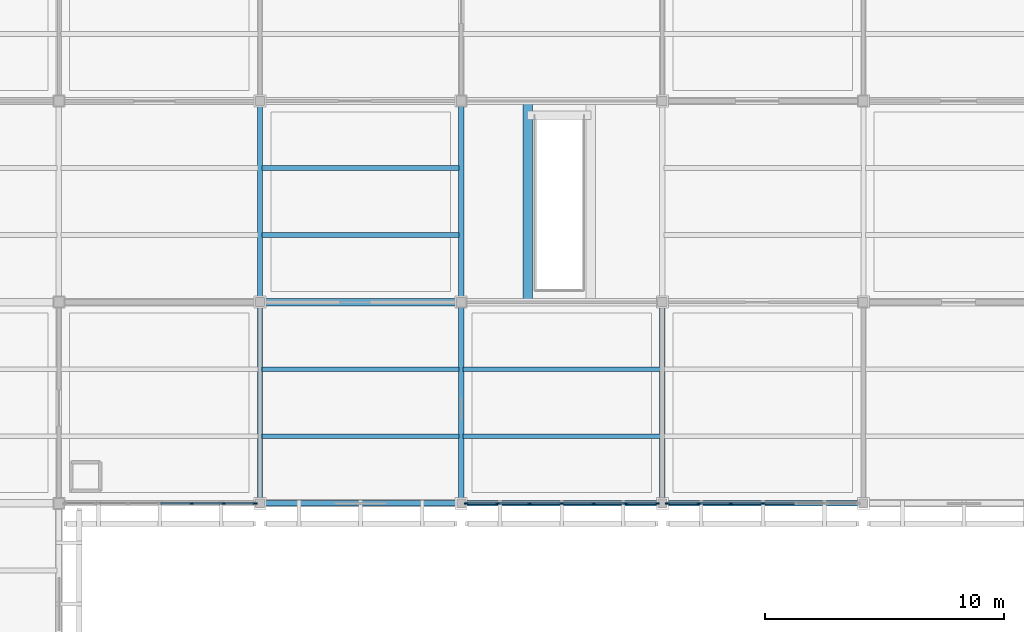
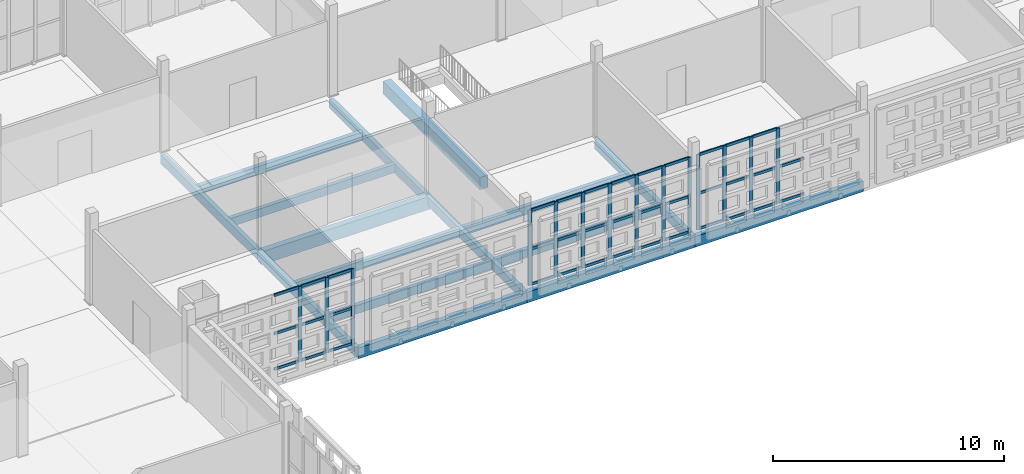
# One storey, part 30 of 203: 52 members, 16 beams, 3 elements without a shape of their own.
"""IFC4 building model written with IfcOpenShell, lengths in metres."""

import ifcopenshell
import ifcopenshell.guid

model = None  # the IFC model being written
_history = None  # IfcOwnerHistory: only IFC2X3 demands one
_inside = {}  # id of a spatial element -> (the spatial element, [elements in it])
_under = {}  # id of a project, library or spatial element -> (it, [spatial elements below it])
_declared = {}  # id of a project -> (the project, [libraries it declares])
_typed = {}  # id of a type object -> (the type object, [elements of that type])
_made_of = {}  # id of a material, layer set ... -> (it, [elements and type objects made of it])


def new_model(schema):
    """Start an empty IFC model of exactly this schema.

    Asked for "IFC4X3", IfcOpenShell would pick the latest addendum, in which some entities
    have other attributes; the version numbers below select the first issue.
    IFC2X3 requires an IfcOwnerHistory on every rooted entity: one is made here for all.
    """
    global model, _history
    if schema == "IFC4X3":
        model = ifcopenshell.file(schema_version=(4, 3, 0, 0))
    else:
        model = ifcopenshell.file(schema=schema)
    _inside.clear()
    _under.clear()
    _declared.clear()
    _typed.clear()
    _made_of.clear()
    _history = None
    if model.schema == "IFC2X3":
        org = make("IfcOrganization", Name="unknown")
        user = make(
            "IfcPersonAndOrganization",
            ThePerson=make("IfcPerson", FamilyName="unknown"),
            TheOrganization=org,
        )
        app = make(
            "IfcApplication",
            ApplicationDeveloper=org,
            Version="unknown",
            ApplicationFullName="unknown",
            ApplicationIdentifier="unknown",
        )
        _history = make(
            "IfcOwnerHistory",
            OwningUser=user,
            OwningApplication=app,
            ChangeAction="ADDED",
            CreationDate=0,
        )
    return model


def make(cls, **values):
    """One entity of the class cls with the attributes given. An attribute that is None is left unset."""
    return model.create_entity(
        cls, **{name: value for name, value in values.items() if value is not None}
    )


def rooted(cls, **values):
    """An entity with a GlobalId (a new one), such as an element, a storey or a relation."""
    return make(cls, GlobalId=ifcopenshell.guid.new(), OwnerHistory=_history, **values)


def si_unit(unit_type, name, prefix=None):
    """IfcSIUnit, for example si_unit("LENGTHUNIT", "METRE", prefix="MILLI")."""
    return make("IfcSIUnit", UnitType=unit_type, Prefix=prefix, Name=name)


def assignment(units):
    """IfcUnitAssignment: the units of a project."""
    return None if units is None else make("IfcUnitAssignment", Units=units)


def point(xyz):
    """IfcCartesianPoint."""
    return None if xyz is None else make("IfcCartesianPoint", Coordinates=xyz)


def direction(xyz):
    """IfcDirection."""
    return None if xyz is None else make("IfcDirection", DirectionRatios=xyz)


def frame(location, z_axis=None, x_axis=None):
    """IfcAxis2Placement3D, a coordinate frame: its origin and axes. An axis left out is left unset."""
    return make(
        "IfcAxis2Placement3D",
        Location=point(location),
        Axis=direction(z_axis),
        RefDirection=direction(x_axis),
    )


def frame_2d(location, x_axis=None):
    """IfcAxis2Placement2D, a coordinate frame in the plane: its origin and x axis."""
    return make(
        "IfcAxis2Placement2D", Location=point(location), RefDirection=direction(x_axis)
    )


def origin():
    """The frame at (0, 0, 0) with its axes left unset."""
    return frame((0.0, 0.0, 0.0))


def origin_2d():
    """The frame at (0, 0) in the plane with its x axis left unset."""
    return frame_2d((0.0, 0.0))


def place(relative_to, where):
    """IfcLocalPlacement: puts the frame where relative to a parent placement (None: the world)."""
    return make(
        "IfcLocalPlacement", PlacementRelTo=relative_to, RelativePlacement=where
    )


def context(
    kind, dimensions, precision=None, world=None, true_north=None, identifier=None
):
    """IfcGeometricRepresentationContext, for example the 3D "Model" context."""
    return make(
        "IfcGeometricRepresentationContext",
        ContextIdentifier=identifier,
        ContextType=kind,
        CoordinateSpaceDimension=dimensions,
        Precision=precision,
        WorldCoordinateSystem=world,
        TrueNorth=true_north,
    )


def subcontext(parent, identifier, kind, view, scale=None):
    """IfcGeometricRepresentationSubContext, for example "Body" below "Model"."""
    return make(
        "IfcGeometricRepresentationSubContext",
        ContextIdentifier=identifier,
        ContextType=kind,
        ParentContext=parent,
        TargetScale=scale,
        TargetView=view,
    )


def project(units=None, contexts=None):
    """IfcProject with its units and contexts."""
    return rooted(
        "IfcProject",
        Name="project",
        RepresentationContexts=contexts,
        UnitsInContext=assignment(units),
    )


def spatial(cls, under=None, at=None, **own):
    """A site, building, storey or space (cls), placed at a placement, below another one or the project."""
    s = rooted(cls, ObjectPlacement=at, **own)
    if under is not None:
        _under.setdefault(under.id(), (under, []))[1].append(s)
    return s


def profile(cls, at=None, kind="AREA", **sizes):
    """A parametric profile (cls). Its sizes go by their IFC names, for example OverallWidth=200.0."""
    return make(cls, ProfileType=kind, Position=at, **sizes)


def rectangle(**sizes):
    """IfcRectangleProfileDef."""
    return profile("IfcRectangleProfileDef", **sizes)


def extrude(swept, where, along, depth):
    """IfcExtrudedAreaSolid: the profile swept, set in the frame where, extruded along a direction by depth."""
    return make(
        "IfcExtrudedAreaSolid",
        SweptArea=swept,
        Position=where,
        ExtrudedDirection=direction(along),
        Depth=depth,
    )


def shape(context_of_items, identifier, shape_type, items):
    """IfcShapeRepresentation: the items that make up one representation, for example the "Body"."""
    return make(
        "IfcShapeRepresentation",
        ContextOfItems=context_of_items,
        RepresentationIdentifier=identifier,
        RepresentationType=shape_type,
        Items=items,
    )


def material(Name=None, Category=None):
    """IfcMaterial."""
    return make("IfcMaterial", Name=Name, Category=Category)


def layer(
    of_material, thickness, ventilated=None, Name=None, Category=None, Priority=None
):
    """IfcMaterialLayer: one layer of a wall or slab, of a material (None: an air gap)."""
    return make(
        "IfcMaterialLayer",
        Material=of_material,
        LayerThickness=thickness,
        IsVentilated=ventilated,
        Name=Name,
        Category=Category,
        Priority=Priority,
    )


def layer_set(layers, Name=None):
    """IfcMaterialLayerSet."""
    return make("IfcMaterialLayerSet", MaterialLayers=layers, LayerSetName=Name)


def material_profile(
    of_material, cross_section, Name=None, Category=None, Priority=None
):
    """IfcMaterialProfile: a cross section and its material."""
    return make(
        "IfcMaterialProfile",
        Name=Name,
        Material=of_material,
        Profile=cross_section,
        Priority=Priority,
        Category=Category,
    )


def profile_set(profiles, Name=None, composite=None):
    """IfcMaterialProfileSet."""
    return make(
        "IfcMaterialProfileSet",
        Name=Name,
        MaterialProfiles=profiles,
        CompositeProfile=composite,
    )


def made_of(thing, what):
    """Note that an element or type object is made of a material, layer set ...; save() writes the relation."""
    if what is not None:
        _made_of.setdefault(what.id(), (what, []))[1].append(thing)
    return thing


def type_object(cls, material=None, **own):
    """A type object (cls), such as IfcWallType, which elements share."""
    return made_of(rooted(cls, **own), material)


def element(
    cls,
    number,
    at=None,
    inside=None,
    cuts=None,
    type_object=None,
    material=None,
    context=None,
    identifier="Body",
    shape_type=None,
    held_by="IfcProductDefinitionShape",
    body=None,
    shapes=None,
    **own,
):
    """One element of the class cls, such as IfcWall. Its Tag is "e" and its number.

    at: its placement. inside: the storey or other place that contains it. cuts: it is an
    opening in that element (IfcRelVoidsElement). A single representation is given by context,
    identifier, shape_type and body (its items); several are given by shapes. held_by: the class
    of the entity that holds the representations. save() writes the other relations.
    """
    e = rooted(cls, Tag="e%d" % number, ObjectPlacement=at, **own)
    if body is not None:
        shapes = [shape(context, identifier, shape_type, body)]
    if shapes is not None:
        e.Representation = make(held_by, Representations=shapes)
    if inside is not None:
        _inside.setdefault(inside.id(), (inside, []))[1].append(e)
    if cuts is not None:
        rooted(
            "IfcRelVoidsElement", RelatingBuildingElement=cuts, RelatedOpeningElement=e
        )
    if type_object is not None:
        _typed.setdefault(type_object.id(), (type_object, []))[1].append(e)
    return made_of(e, material)


def aggregate(whole, parts):
    """IfcRelAggregates: a whole, such as a stair, and the parts it consists of."""
    return rooted("IfcRelAggregates", RelatingObject=whole, RelatedObjects=parts)


def save(model, path):
    """Write the relations noted so far, then the file.

    IfcRelAggregates (storeys below a building ...), IfcRelContainedInSpatialStructure (elements
    in a storey), IfcRelDefinesByType, IfcRelAssociatesMaterial and IfcRelDeclares: one each for
    every whole, place, type object, material and project.
    """
    for whole, parts in _under.values():
        aggregate(whole, parts)
    for where, things in _inside.values():
        rooted(
            "IfcRelContainedInSpatialStructure",
            RelatedElements=things,
            RelatingStructure=where,
        )
    for kind, things in _typed.values():
        rooted("IfcRelDefinesByType", RelatedObjects=things, RelatingType=kind)
    for what, things in _made_of.values():
        rooted("IfcRelAssociatesMaterial", RelatedObjects=things, RelatingMaterial=what)
    for by, libraries in _declared.values():
        rooted("IfcRelDeclares", RelatingContext=by, RelatedDefinitions=libraries)
    model.write(path)


model = new_model("IFC4")

# Units and contexts
model_context = context("Model", 3, precision=1e-05, world=origin(), true_north=direction((0.0, 1.0)))
body_context = subcontext(model_context, "Body", "Model", "MODEL_VIEW")
ifc_project = project(units=[si_unit("LENGTHUNIT", "METRE"), si_unit("AREAUNIT", "SQUARE_METRE"), si_unit("VOLUMEUNIT", "CUBIC_METRE"), si_unit("PLANEANGLEUNIT", "RADIAN"), si_unit("MASSUNIT", "GRAM", prefix="KILO")], contexts=[model_context])

# Site, building, storey
site_placement = place(None, origin())
site = spatial("IfcSite", under=ifc_project, at=site_placement, CompositionType="ELEMENT")
building_placement = place(site_placement, origin())
building = spatial("IfcBuilding", under=site, at=building_placement, Name="Varnapada Polytechnic", CompositionType="ELEMENT")
storey_placement = place(building_placement, frame((0.0, 0.0, 4.800048828125)))
storey = spatial("IfcBuildingStorey", under=building, at=storey_placement, Name="L01", CompositionType="ELEMENT", Elevation=4.800048828125)

# Beams
ifc_material_1 = material(Name="Glulam GL32h", Category="wood")
ifc_material_profile_1 = material_profile(ifc_material_1, rectangle(XDim=0.199951171875, YDim=0.43994140625, at=origin_2d()), Name="GL 200x440")
ifc_profile_set_1 = profile_set([ifc_material_profile_1], Name="Glulam GL32h")
beam_type_1 = type_object("IfcBeamType", Name="Heavy laboratory glulam joist GJ-03 (GL 200x440)", PredefinedType="JOIST", material=ifc_profile_set_1)
for number, where, z_axis, x_axis, name in (
    (1, (67.280029296875, 19.60009765625, -0.469970703125), (1.0, 0.0, 0.0), (0.0, 1.0, 0.0), "L01 floor joist 9/3.1"),
    (2, (67.280029296875, 22.39990234375, -0.469970703125), (1.0, 0.0, 0.0), (0.0, 1.0, 0.0), "L01 floor joist 9/3.2"),
    (3, (67.280029296875, 28.0, -0.469970703125), (1.0, 0.0, 0.0), (0.0, 1.0, 0.0), "L01 floor joist 9/4.1"),
    (4, (67.280029296875, 30.800048828125, -0.469970703125), (1.0, 0.0, 0.0), (0.0, 1.0, 0.0), "L01 floor joist 9/4.2"),
    (5, (75.679931640625, 19.60009765625, -0.469970703125), (1.0, 0.0, 0.0), (0.0, 1.0, 0.0), "L01 floor joist 10/3.1"),
    (6, (75.679931640625, 22.39990234375, -0.469970703125), (1.0, 0.0, 0.0), (0.0, 1.0, 0.0), "L01 floor joist 10/3.2"),
):
    element("IfcBeam", number, at=place(storey_placement, frame(where, z_axis=z_axis, x_axis=x_axis)), inside=storey, type_object=beam_type_1, Name=name, PredefinedType="JOIST", context=body_context, shape_type="SweptSolid", body=[
        extrude(rectangle(XDim=0.199951171875, YDim=0.43994140625, at=origin_2d()), origin(), (0.0, 0.0, 1.0), 8.239990234375),
    ])

# Curtain wall, members
ifc_material_2 = material(Name="Double low-E laminated glass", Category="glass")
ifc_layer = layer(ifc_material_2, 0.179931640625)
ifc_layer_set = layer_set([ifc_layer], Name="Double low-E laminated glass")
curtain_wall_type = type_object("IfcCurtainWallType", Name="Curtain Wall CW-04", PredefinedType="NOTDEFINED", material=ifc_layer_set)
curtain_wall_1_placement = place(storey_placement, origin())
curtain_wall_1 = element("IfcCurtainWall", 7, at=curtain_wall_1_placement, inside=storey, type_object=curtain_wall_type, Name="L01 unitised curtain wall CW-04 (55)", PredefinedType="NOTDEFINED")
ifc_material_3 = material(Name="Anodised aluminium", Category="aluminium")
ifc_material_profile_2 = material_profile(ifc_material_3, rectangle(XDim=0.06494140625, YDim=0.179931640625, at=origin_2d()), Name="ALU M65x180")
ifc_profile_set_2 = profile_set([ifc_material_profile_2], Name="Anodised aluminium")
member_type_1 = type_object("IfcMemberType", Name="Mullion M-02", PredefinedType="MULLION", material=ifc_profile_set_2)
member_1_placement = place(storey_placement, frame((66.987548828125, 16.800048828125, 0.0), z_axis=(0.0, 0.0, 1.0), x_axis=(0.0, -1.0, 0.0)))
member_1 = element("IfcMember", 8, at=member_1_placement, type_object=member_type_1, Name="CW-04 mullion 1", PredefinedType="MULLION", context=body_context, shape_type="SweptSolid", body=[
    extrude(rectangle(XDim=0.06494140625, YDim=0.179931640625, at=origin_2d()), origin(), (0.0, 0.0, 1.0), 3.9599609375),
])
member_2_placement = place(storey_placement, frame((65.68505859375, 16.800048828125, 0.0), z_axis=(0.0, 0.0, 1.0), x_axis=(0.0, -1.0, 0.0)))
member_2 = element("IfcMember", 9, at=member_2_placement, type_object=member_type_1, Name="CW-04 mullion 2", PredefinedType="MULLION", context=body_context, shape_type="SweptSolid", body=[
    extrude(rectangle(XDim=0.06494140625, YDim=0.179931640625, at=origin_2d()), origin(), (0.0, 0.0, 1.0), 3.9599609375),
])
member_3_placement = place(storey_placement, frame((64.35009765625, 16.800048828125, 0.0), z_axis=(0.0, 0.0, 1.0), x_axis=(0.0, -1.0, 0.0)))
member_3 = element("IfcMember", 10, at=member_3_placement, type_object=member_type_1, Name="CW-04 mullion 3", PredefinedType="MULLION", context=body_context, shape_type="SweptSolid", body=[
    extrude(rectangle(XDim=0.06494140625, YDim=0.179931640625, at=origin_2d()), origin(), (0.0, 0.0, 1.0), 3.9599609375),
])

curtain_wall_2_placement = place(storey_placement, origin())
curtain_wall_2 = element("IfcCurtainWall", 11, at=curtain_wall_2_placement, inside=storey, type_object=curtain_wall_type, Name="L01 unitised curtain wall CW-04 (64)", PredefinedType="NOTDEFINED")
member_4_placement = place(storey_placement, frame((83.78759765625, 16.800048828125, 0.0), z_axis=(0.0, 0.0, 1.0), x_axis=(0.0, -1.0, 0.0)))
member_4 = element("IfcMember", 12, at=member_4_placement, type_object=member_type_1, Name="CW-04 mullion 1", PredefinedType="MULLION", context=body_context, shape_type="SweptSolid", body=[
    extrude(rectangle(XDim=0.06494140625, YDim=0.179931640625, at=origin_2d()), origin(), (0.0, 0.0, 1.0), 3.9599609375),
])
member_5_placement = place(storey_placement, frame((82.47998046875, 16.800048828125, 0.0), z_axis=(0.0, 0.0, 1.0), x_axis=(0.0, -1.0, 0.0)))
member_5 = element("IfcMember", 13, at=member_5_placement, type_object=member_type_1, Name="CW-04 mullion 2", PredefinedType="MULLION", context=body_context, shape_type="SweptSolid", body=[
    extrude(rectangle(XDim=0.06494140625, YDim=0.179931640625, at=origin_2d()), origin(), (0.0, 0.0, 1.0), 3.9599609375),
])
member_6_placement = place(storey_placement, frame((81.139892578125, 16.800048828125, 0.0), z_axis=(0.0, 0.0, 1.0), x_axis=(0.0, -1.0, 0.0)))
member_6 = element("IfcMember", 14, at=member_6_placement, type_object=member_type_1, Name="CW-04 mullion 3", PredefinedType="MULLION", context=body_context, shape_type="SweptSolid", body=[
    extrude(rectangle(XDim=0.06494140625, YDim=0.179931640625, at=origin_2d()), origin(), (0.0, 0.0, 1.0), 3.9599609375),
])
member_7_placement = place(storey_placement, frame((79.800048828125, 16.800048828125, 0.0), z_axis=(0.0, 0.0, 1.0), x_axis=(0.0, -1.0, 0.0)))
member_7 = element("IfcMember", 15, at=member_7_placement, type_object=member_type_1, Name="CW-04 mullion 4", PredefinedType="MULLION", context=body_context, shape_type="SweptSolid", body=[
    extrude(rectangle(XDim=0.06494140625, YDim=0.179931640625, at=origin_2d()), origin(), (0.0, 0.0, 1.0), 3.9599609375),
])
member_8_placement = place(storey_placement, frame((78.4599609375, 16.800048828125, 0.0), z_axis=(0.0, 0.0, 1.0), x_axis=(0.0, -1.0, 0.0)))
member_8 = element("IfcMember", 16, at=member_8_placement, type_object=member_type_1, Name="CW-04 mullion 5", PredefinedType="MULLION", context=body_context, shape_type="SweptSolid", body=[
    extrude(rectangle(XDim=0.06494140625, YDim=0.179931640625, at=origin_2d()), origin(), (0.0, 0.0, 1.0), 3.9599609375),
])
member_9_placement = place(storey_placement, frame((77.1201171875, 16.800048828125, 0.0), z_axis=(0.0, 0.0, 1.0), x_axis=(0.0, -1.0, 0.0)))
member_9 = element("IfcMember", 17, at=member_9_placement, type_object=member_type_1, Name="CW-04 mullion 6", PredefinedType="MULLION", context=body_context, shape_type="SweptSolid", body=[
    extrude(rectangle(XDim=0.06494140625, YDim=0.179931640625, at=origin_2d()), origin(), (0.0, 0.0, 1.0), 3.9599609375),
])
member_10_placement = place(storey_placement, frame((75.8125, 16.800048828125, 0.0), z_axis=(0.0, 0.0, 1.0), x_axis=(0.0, -1.0, 0.0)))
member_10 = element("IfcMember", 18, at=member_10_placement, type_object=member_type_1, Name="CW-04 mullion 7", PredefinedType="MULLION", context=body_context, shape_type="SweptSolid", body=[
    extrude(rectangle(XDim=0.06494140625, YDim=0.179931640625, at=origin_2d()), origin(), (0.0, 0.0, 1.0), 3.9599609375),
])

curtain_wall_3_placement = place(storey_placement, origin())
curtain_wall_3 = element("IfcCurtainWall", 19, at=curtain_wall_3_placement, inside=storey, type_object=curtain_wall_type, Name="L01 unitised curtain wall CW-04 (69)", PredefinedType="NOTDEFINED")
member_11_placement = place(storey_placement, frame((88.199951171875, 16.800048828125, 0.0), z_axis=(0.0, 0.0, 1.0), x_axis=(0.0, -1.0, 0.0)))
member_11 = element("IfcMember", 20, at=member_11_placement, type_object=member_type_1, Name="CW-04 mullion 4", PredefinedType="MULLION", context=body_context, shape_type="SweptSolid", body=[
    extrude(rectangle(XDim=0.06494140625, YDim=0.179931640625, at=origin_2d()), origin(), (0.0, 0.0, 1.0), 3.9599609375),
])
member_12_placement = place(storey_placement, frame((86.860107421875, 16.800048828125, 0.0), z_axis=(0.0, 0.0, 1.0), x_axis=(0.0, -1.0, 0.0)))
member_12 = element("IfcMember", 21, at=member_12_placement, type_object=member_type_1, Name="CW-04 mullion 5", PredefinedType="MULLION", context=body_context, shape_type="SweptSolid", body=[
    extrude(rectangle(XDim=0.06494140625, YDim=0.179931640625, at=origin_2d()), origin(), (0.0, 0.0, 1.0), 3.9599609375),
])
member_13_placement = place(storey_placement, frame((85.52001953125, 16.800048828125, 0.0), z_axis=(0.0, 0.0, 1.0), x_axis=(0.0, -1.0, 0.0)))
member_13 = element("IfcMember", 22, at=member_13_placement, type_object=member_type_1, Name="CW-04 mullion 6", PredefinedType="MULLION", context=body_context, shape_type="SweptSolid", body=[
    extrude(rectangle(XDim=0.06494140625, YDim=0.179931640625, at=origin_2d()), origin(), (0.0, 0.0, 1.0), 3.9599609375),
])
member_14_placement = place(storey_placement, frame((84.21240234375, 16.800048828125, 0.0), z_axis=(0.0, 0.0, 1.0), x_axis=(0.0, -1.0, 0.0)))
member_14 = element("IfcMember", 23, at=member_14_placement, type_object=member_type_1, Name="CW-04 mullion 7", PredefinedType="MULLION", context=body_context, shape_type="SweptSolid", body=[
    extrude(rectangle(XDim=0.06494140625, YDim=0.179931640625, at=origin_2d()), origin(), (0.0, 0.0, 1.0), 3.9599609375),
])

# Beams
ifc_material_profile_3 = material_profile(ifc_material_1, rectangle(XDim=0.239990234375, YDim=0.56005859375, at=origin_2d()), Name="GL 240x560")
ifc_profile_set_3 = profile_set([ifc_material_profile_3], Name="Glulam GL32h")
beam_type_2 = type_object("IfcBeamType", Name="Perimeter glulam spandrel beam SP-02 (GL 240x560)", PredefinedType="SPANDREL", material=ifc_profile_set_3)
beam_1_placement = place(storey_placement, frame((67.199951171875, 16.800048828125, -0.530029296875), z_axis=(1.0, 0.0, 0.0), x_axis=(0.0, 1.0, 0.0)))
element("IfcBeam", 24, at=beam_1_placement, inside=storey, type_object=beam_type_2, Name="L01 beam X 9-10 at Y3", PredefinedType="SPANDREL", context=body_context, shape_type="SweptSolid", body=[
    extrude(rectangle(XDim=0.239990234375, YDim=0.56005859375, at=origin_2d()), origin(), (0.0, 0.0, 1.0), 8.400146484375),
])
for number, where, z_axis, x_axis, name in (
    (25, (75.60009765625, 16.800048828125, -0.530029296875), (1.0, 0.0, 0.0), (0.0, 1.0, 0.0), "L01 beam X 10-11 at Y3"),
    (26, (84.0, 16.800048828125, -0.530029296875), (1.0, 0.0, 0.0), (0.0, 1.0, 0.0), "L01 beam X 11-12 at Y3"),
):
    element("IfcBeam", number, at=place(storey_placement, frame(where, z_axis=z_axis, x_axis=x_axis)), inside=storey, type_object=beam_type_2, Name=name, PredefinedType="SPANDREL", context=body_context, shape_type="SweptSolid", body=[
        extrude(rectangle(XDim=0.239990234375, YDim=0.56005859375, at=origin_2d()), origin(), (0.0, 0.0, 1.0), 8.39990234375),
    ])
ifc_material_4 = material(Name="Concrete C40/50", Category="concrete")
ifc_material_profile_4 = material_profile(ifc_material_4, rectangle(XDim=0.39990234375, YDim=0.64990234375, at=origin_2d()), Name="RC 400x650")
ifc_profile_set_4 = profile_set([ifc_material_profile_4], Name="Concrete C40/50")
beam_type_3 = type_object("IfcBeamType", Name="Podium framing beam BB-02 (RC 400x650)", PredefinedType="BEAM", material=ifc_profile_set_4)
beam_2_placement = place(storey_placement, frame((78.3798828125, 25.199951171875, -0.5849609375), z_axis=(0.0, 1.0, 0.0), x_axis=(-1.0, 0.0, 0.0)))
element("IfcBeam", 27, at=beam_2_placement, inside=storey, type_object=beam_type_3, Name="L01 feature stair ST-F5 trimmer girder L", PredefinedType="BEAM", context=body_context, shape_type="SweptSolid", body=[
    extrude(rectangle(XDim=0.39990234375, YDim=0.64990234375, at=origin_2d()), origin(), (0.0, 0.0, 1.0), 8.400146484375),
])

# Member
ifc_material_profile_5 = material_profile(ifc_material_3, rectangle(XDim=0.06494140625, YDim=0.139892578125, at=origin_2d()), Name="ALU T65x140")
ifc_profile_set_5 = profile_set([ifc_material_profile_5], Name="Anodised aluminium")
member_type_2 = type_object("IfcMemberType", Name="Transom T-02", PredefinedType="USERDEFINED", material=ifc_profile_set_5)
member_15_placement = place(storey_placement, frame((66.955078125, 16.800048828125, 0.032470703125), z_axis=(-1.0, 0.0, 0.0), x_axis=(0.0, -1.0, 0.0)))
member_15 = element("IfcMember", 28, at=member_15_placement, type_object=member_type_2, Name="CW-04 transom 1.1", ObjectType="TRANSOM", PredefinedType="USERDEFINED", context=body_context, shape_type="SweptSolid", body=[
    extrude(rectangle(XDim=0.06494140625, YDim=0.139892578125, at=origin_2d()), origin(), (0.0, 0.0, 1.0), 1.237548828125),
])

member_16_placement = place(storey_placement, frame((66.955078125, 16.800048828125, 1.900634765625), z_axis=(-1.0, 0.0, 0.0), x_axis=(0.0, -1.0, 0.0)))
member_16 = element("IfcMember", 29, at=member_16_placement, type_object=member_type_2, Name="CW-04 transom 1.2", ObjectType="TRANSOM", PredefinedType="USERDEFINED", context=body_context, shape_type="SweptSolid", body=[
    extrude(rectangle(XDim=0.06494140625, YDim=0.139892578125, at=origin_2d()), origin(), (0.0, 0.0, 1.0), 1.237548828125),
])

member_17_placement = place(storey_placement, frame((66.955078125, 16.800048828125, 3.927490234375), z_axis=(-1.0, 0.0, 0.0), x_axis=(0.0, -1.0, 0.0)))
member_17 = element("IfcMember", 30, at=member_17_placement, type_object=member_type_2, Name="CW-04 transom 1.3", ObjectType="TRANSOM", PredefinedType="USERDEFINED", context=body_context, shape_type="SweptSolid", body=[
    extrude(rectangle(XDim=0.06494140625, YDim=0.139892578125, at=origin_2d()), origin(), (0.0, 0.0, 1.0), 1.237548828125),
])

member_18_placement = place(storey_placement, frame((65.652587890625, 16.800048828125, 0.032470703125), z_axis=(-1.0, 0.0, 0.0), x_axis=(0.0, -1.0, 0.0)))
member_18 = element("IfcMember", 31, at=member_18_placement, type_object=member_type_2, Name="CW-04 transom 2.1", ObjectType="TRANSOM", PredefinedType="USERDEFINED", context=body_context, shape_type="SweptSolid", body=[
    extrude(rectangle(XDim=0.06494140625, YDim=0.139892578125, at=origin_2d()), origin(), (0.0, 0.0, 1.0), 1.27001953125),
])

member_19_placement = place(storey_placement, frame((65.652587890625, 16.800048828125, 1.900634765625), z_axis=(-1.0, 0.0, 0.0), x_axis=(0.0, -1.0, 0.0)))
member_19 = element("IfcMember", 32, at=member_19_placement, type_object=member_type_2, Name="CW-04 transom 2.2", ObjectType="TRANSOM", PredefinedType="USERDEFINED", context=body_context, shape_type="SweptSolid", body=[
    extrude(rectangle(XDim=0.06494140625, YDim=0.139892578125, at=origin_2d()), origin(), (0.0, 0.0, 1.0), 1.27001953125),
])

member_20_placement = place(storey_placement, frame((65.652587890625, 16.800048828125, 3.927490234375), z_axis=(-1.0, 0.0, 0.0), x_axis=(0.0, -1.0, 0.0)))
member_20 = element("IfcMember", 33, at=member_20_placement, type_object=member_type_2, Name="CW-04 transom 2.3", ObjectType="TRANSOM", PredefinedType="USERDEFINED", context=body_context, shape_type="SweptSolid", body=[
    extrude(rectangle(XDim=0.06494140625, YDim=0.139892578125, at=origin_2d()), origin(), (0.0, 0.0, 1.0), 1.27001953125),
])

member_21_placement = place(storey_placement, frame((64.3173828125, 16.800048828125, 0.032470703125), z_axis=(-1.0, 0.0, 0.0), x_axis=(0.0, -1.0, 0.0)))
member_21 = element("IfcMember", 34, at=member_21_placement, type_object=member_type_2, Name="CW-04 transom 3.1", ObjectType="TRANSOM", PredefinedType="USERDEFINED", context=body_context, shape_type="SweptSolid", body=[
    extrude(rectangle(XDim=0.06494140625, YDim=0.139892578125, at=origin_2d()), origin(), (0.0, 0.0, 1.0), 1.269775390625),
])

member_22_placement = place(storey_placement, frame((64.3173828125, 16.800048828125, 1.900634765625), z_axis=(-1.0, 0.0, 0.0), x_axis=(0.0, -1.0, 0.0)))
member_22 = element("IfcMember", 35, at=member_22_placement, type_object=member_type_2, Name="CW-04 transom 3.2", ObjectType="TRANSOM", PredefinedType="USERDEFINED", context=body_context, shape_type="SweptSolid", body=[
    extrude(rectangle(XDim=0.06494140625, YDim=0.139892578125, at=origin_2d()), origin(), (0.0, 0.0, 1.0), 1.269775390625),
])

member_23_placement = place(storey_placement, frame((64.3173828125, 16.800048828125, 3.927490234375), z_axis=(-1.0, 0.0, 0.0), x_axis=(0.0, -1.0, 0.0)))
member_23 = element("IfcMember", 36, at=member_23_placement, type_object=member_type_2, Name="CW-04 transom 3.3", ObjectType="TRANSOM", PredefinedType="USERDEFINED", context=body_context, shape_type="SweptSolid", body=[
    extrude(rectangle(XDim=0.06494140625, YDim=0.139892578125, at=origin_2d()), origin(), (0.0, 0.0, 1.0), 1.269775390625),
])

aggregate(curtain_wall_1, [member_1, member_2, member_3, member_15, member_16, member_17, member_18, member_19, member_20, member_21, member_22, member_23])

member_24_placement = place(storey_placement, frame((83.7548828125, 16.800048828125, 0.032470703125), z_axis=(-1.0, 0.0, 0.0), x_axis=(0.0, -1.0, 0.0)))
member_24 = element("IfcMember", 37, at=member_24_placement, type_object=member_type_2, Name="CW-04 transom 1.1", ObjectType="TRANSOM", PredefinedType="USERDEFINED", context=body_context, shape_type="SweptSolid", body=[
    extrude(rectangle(XDim=0.06494140625, YDim=0.139892578125, at=origin_2d()), origin(), (0.0, 0.0, 1.0), 1.242431640625),
])

member_25_placement = place(storey_placement, frame((83.7548828125, 16.800048828125, 1.900634765625), z_axis=(-1.0, 0.0, 0.0), x_axis=(0.0, -1.0, 0.0)))
member_25 = element("IfcMember", 38, at=member_25_placement, type_object=member_type_2, Name="CW-04 transom 1.2", ObjectType="TRANSOM", PredefinedType="USERDEFINED", context=body_context, shape_type="SweptSolid", body=[
    extrude(rectangle(XDim=0.06494140625, YDim=0.139892578125, at=origin_2d()), origin(), (0.0, 0.0, 1.0), 1.242431640625),
])

member_26_placement = place(storey_placement, frame((83.7548828125, 16.800048828125, 3.927490234375), z_axis=(-1.0, 0.0, 0.0), x_axis=(0.0, -1.0, 0.0)))
member_26 = element("IfcMember", 39, at=member_26_placement, type_object=member_type_2, Name="CW-04 transom 1.3", ObjectType="TRANSOM", PredefinedType="USERDEFINED", context=body_context, shape_type="SweptSolid", body=[
    extrude(rectangle(XDim=0.06494140625, YDim=0.139892578125, at=origin_2d()), origin(), (0.0, 0.0, 1.0), 1.242431640625),
])

member_27_placement = place(storey_placement, frame((82.447509765625, 16.800048828125, 0.032470703125), z_axis=(-1.0, 0.0, 0.0), x_axis=(0.0, -1.0, 0.0)))
member_27 = element("IfcMember", 40, at=member_27_placement, type_object=member_type_2, Name="CW-04 transom 2.1", ObjectType="TRANSOM", PredefinedType="USERDEFINED", context=body_context, shape_type="SweptSolid", body=[
    extrude(rectangle(XDim=0.06494140625, YDim=0.139892578125, at=origin_2d()), origin(), (0.0, 0.0, 1.0), 1.27490234375),
])

member_28_placement = place(storey_placement, frame((82.447509765625, 16.800048828125, 1.900634765625), z_axis=(-1.0, 0.0, 0.0), x_axis=(0.0, -1.0, 0.0)))
member_28 = element("IfcMember", 41, at=member_28_placement, type_object=member_type_2, Name="CW-04 transom 2.2", ObjectType="TRANSOM", PredefinedType="USERDEFINED", context=body_context, shape_type="SweptSolid", body=[
    extrude(rectangle(XDim=0.06494140625, YDim=0.139892578125, at=origin_2d()), origin(), (0.0, 0.0, 1.0), 1.27490234375),
])

member_29_placement = place(storey_placement, frame((82.447509765625, 16.800048828125, 3.927490234375), z_axis=(-1.0, 0.0, 0.0), x_axis=(0.0, -1.0, 0.0)))
member_29 = element("IfcMember", 42, at=member_29_placement, type_object=member_type_2, Name="CW-04 transom 2.3", ObjectType="TRANSOM", PredefinedType="USERDEFINED", context=body_context, shape_type="SweptSolid", body=[
    extrude(rectangle(XDim=0.06494140625, YDim=0.139892578125, at=origin_2d()), origin(), (0.0, 0.0, 1.0), 1.27490234375),
])

member_30_placement = place(storey_placement, frame((81.107421875, 16.800048828125, 0.032470703125), z_axis=(-1.0, 0.0, 0.0), x_axis=(0.0, -1.0, 0.0)))
member_30 = element("IfcMember", 43, at=member_30_placement, type_object=member_type_2, Name="CW-04 transom 3.1", ObjectType="TRANSOM", PredefinedType="USERDEFINED", context=body_context, shape_type="SweptSolid", body=[
    extrude(rectangle(XDim=0.06494140625, YDim=0.139892578125, at=origin_2d()), origin(), (0.0, 0.0, 1.0), 1.27490234375),
])

member_31_placement = place(storey_placement, frame((81.107421875, 16.800048828125, 1.900634765625), z_axis=(-1.0, 0.0, 0.0), x_axis=(0.0, -1.0, 0.0)))
member_31 = element("IfcMember", 44, at=member_31_placement, type_object=member_type_2, Name="CW-04 transom 3.2", ObjectType="TRANSOM", PredefinedType="USERDEFINED", context=body_context, shape_type="SweptSolid", body=[
    extrude(rectangle(XDim=0.06494140625, YDim=0.139892578125, at=origin_2d()), origin(), (0.0, 0.0, 1.0), 1.27490234375),
])

member_32_placement = place(storey_placement, frame((81.107421875, 16.800048828125, 3.927490234375), z_axis=(-1.0, 0.0, 0.0), x_axis=(0.0, -1.0, 0.0)))
member_32 = element("IfcMember", 45, at=member_32_placement, type_object=member_type_2, Name="CW-04 transom 3.3", ObjectType="TRANSOM", PredefinedType="USERDEFINED", context=body_context, shape_type="SweptSolid", body=[
    extrude(rectangle(XDim=0.06494140625, YDim=0.139892578125, at=origin_2d()), origin(), (0.0, 0.0, 1.0), 1.27490234375),
])

member_33_placement = place(storey_placement, frame((79.767578125, 16.800048828125, 0.032470703125), z_axis=(-1.0, 0.0, 0.0), x_axis=(0.0, -1.0, 0.0)))
member_33 = element("IfcMember", 46, at=member_33_placement, type_object=member_type_2, Name="CW-04 transom 4.1", ObjectType="TRANSOM", PredefinedType="USERDEFINED", context=body_context, shape_type="SweptSolid", body=[
    extrude(rectangle(XDim=0.06494140625, YDim=0.139892578125, at=origin_2d()), origin(), (0.0, 0.0, 1.0), 1.275146484375),
])

member_34_placement = place(storey_placement, frame((79.767578125, 16.800048828125, 1.900634765625), z_axis=(-1.0, 0.0, 0.0), x_axis=(0.0, -1.0, 0.0)))
member_34 = element("IfcMember", 47, at=member_34_placement, type_object=member_type_2, Name="CW-04 transom 4.2", ObjectType="TRANSOM", PredefinedType="USERDEFINED", context=body_context, shape_type="SweptSolid", body=[
    extrude(rectangle(XDim=0.06494140625, YDim=0.139892578125, at=origin_2d()), origin(), (0.0, 0.0, 1.0), 1.275146484375),
])

member_35_placement = place(storey_placement, frame((79.767578125, 16.800048828125, 3.927490234375), z_axis=(-1.0, 0.0, 0.0), x_axis=(0.0, -1.0, 0.0)))
member_35 = element("IfcMember", 48, at=member_35_placement, type_object=member_type_2, Name="CW-04 transom 4.3", ObjectType="TRANSOM", PredefinedType="USERDEFINED", context=body_context, shape_type="SweptSolid", body=[
    extrude(rectangle(XDim=0.06494140625, YDim=0.139892578125, at=origin_2d()), origin(), (0.0, 0.0, 1.0), 1.275146484375),
])

member_36_placement = place(storey_placement, frame((78.427490234375, 16.800048828125, 0.032470703125), z_axis=(-1.0, 0.0, 0.0), x_axis=(0.0, -1.0, 0.0)))
member_36 = element("IfcMember", 49, at=member_36_placement, type_object=member_type_2, Name="CW-04 transom 5.1", ObjectType="TRANSOM", PredefinedType="USERDEFINED", context=body_context, shape_type="SweptSolid", body=[
    extrude(rectangle(XDim=0.06494140625, YDim=0.139892578125, at=origin_2d()), origin(), (0.0, 0.0, 1.0), 1.27490234375),
])

member_37_placement = place(storey_placement, frame((78.427490234375, 16.800048828125, 1.900634765625), z_axis=(-1.0, 0.0, 0.0), x_axis=(0.0, -1.0, 0.0)))
member_37 = element("IfcMember", 50, at=member_37_placement, type_object=member_type_2, Name="CW-04 transom 5.2", ObjectType="TRANSOM", PredefinedType="USERDEFINED", context=body_context, shape_type="SweptSolid", body=[
    extrude(rectangle(XDim=0.06494140625, YDim=0.139892578125, at=origin_2d()), origin(), (0.0, 0.0, 1.0), 1.27490234375),
])

member_38_placement = place(storey_placement, frame((78.427490234375, 16.800048828125, 3.927490234375), z_axis=(-1.0, 0.0, 0.0), x_axis=(0.0, -1.0, 0.0)))
member_38 = element("IfcMember", 51, at=member_38_placement, type_object=member_type_2, Name="CW-04 transom 5.3", ObjectType="TRANSOM", PredefinedType="USERDEFINED", context=body_context, shape_type="SweptSolid", body=[
    extrude(rectangle(XDim=0.06494140625, YDim=0.139892578125, at=origin_2d()), origin(), (0.0, 0.0, 1.0), 1.27490234375),
])

member_39_placement = place(storey_placement, frame((77.08740234375, 16.800048828125, 0.032470703125), z_axis=(-1.0, 0.0, 0.0), x_axis=(0.0, -1.0, 0.0)))
member_39 = element("IfcMember", 52, at=member_39_placement, type_object=member_type_2, Name="CW-04 transom 6.1", ObjectType="TRANSOM", PredefinedType="USERDEFINED", context=body_context, shape_type="SweptSolid", body=[
    extrude(rectangle(XDim=0.06494140625, YDim=0.139892578125, at=origin_2d()), origin(), (0.0, 0.0, 1.0), 1.242431640625),
])

member_40_placement = place(storey_placement, frame((77.08740234375, 16.800048828125, 1.900634765625), z_axis=(-1.0, 0.0, 0.0), x_axis=(0.0, -1.0, 0.0)))
member_40 = element("IfcMember", 53, at=member_40_placement, type_object=member_type_2, Name="CW-04 transom 6.2", ObjectType="TRANSOM", PredefinedType="USERDEFINED", context=body_context, shape_type="SweptSolid", body=[
    extrude(rectangle(XDim=0.06494140625, YDim=0.139892578125, at=origin_2d()), origin(), (0.0, 0.0, 1.0), 1.242431640625),
])

member_41_placement = place(storey_placement, frame((77.08740234375, 16.800048828125, 3.927490234375), z_axis=(-1.0, 0.0, 0.0), x_axis=(0.0, -1.0, 0.0)))
member_41 = element("IfcMember", 54, at=member_41_placement, type_object=member_type_2, Name="CW-04 transom 6.3", ObjectType="TRANSOM", PredefinedType="USERDEFINED", context=body_context, shape_type="SweptSolid", body=[
    extrude(rectangle(XDim=0.06494140625, YDim=0.139892578125, at=origin_2d()), origin(), (0.0, 0.0, 1.0), 1.242431640625),
])

aggregate(curtain_wall_2, [member_4, member_5, member_6, member_7, member_8, member_9, member_10, member_24, member_25, member_26, member_27, member_28, member_29, member_30, member_31, member_32, member_33, member_34, member_35, member_36, member_37, member_38, member_39, member_40, member_41])

member_42_placement = place(storey_placement, frame((89.507568359375, 16.800048828125, 0.032470703125), z_axis=(-1.0, 0.0, 0.0), x_axis=(0.0, -1.0, 0.0)))
member_42 = element("IfcMember", 55, at=member_42_placement, type_object=member_type_2, Name="CW-04 transom 3.1", ObjectType="TRANSOM", PredefinedType="USERDEFINED", context=body_context, shape_type="SweptSolid", body=[
    extrude(rectangle(XDim=0.06494140625, YDim=0.139892578125, at=origin_2d()), origin(), (0.0, 0.0, 1.0), 1.275146484375),
])

member_43_placement = place(storey_placement, frame((89.507568359375, 16.800048828125, 1.900634765625), z_axis=(-1.0, 0.0, 0.0), x_axis=(0.0, -1.0, 0.0)))
member_43 = element("IfcMember", 56, at=member_43_placement, type_object=member_type_2, Name="CW-04 transom 3.2", ObjectType="TRANSOM", PredefinedType="USERDEFINED", context=body_context, shape_type="SweptSolid", body=[
    extrude(rectangle(XDim=0.06494140625, YDim=0.139892578125, at=origin_2d()), origin(), (0.0, 0.0, 1.0), 1.275146484375),
])

member_44_placement = place(storey_placement, frame((88.16748046875, 16.800048828125, 0.032470703125), z_axis=(-1.0, 0.0, 0.0), x_axis=(0.0, -1.0, 0.0)))
member_44 = element("IfcMember", 57, at=member_44_placement, type_object=member_type_2, Name="CW-04 transom 4.1", ObjectType="TRANSOM", PredefinedType="USERDEFINED", context=body_context, shape_type="SweptSolid", body=[
    extrude(rectangle(XDim=0.06494140625, YDim=0.139892578125, at=origin_2d()), origin(), (0.0, 0.0, 1.0), 1.27490234375),
])

member_45_placement = place(storey_placement, frame((88.16748046875, 16.800048828125, 1.900634765625), z_axis=(-1.0, 0.0, 0.0), x_axis=(0.0, -1.0, 0.0)))
member_45 = element("IfcMember", 58, at=member_45_placement, type_object=member_type_2, Name="CW-04 transom 4.2", ObjectType="TRANSOM", PredefinedType="USERDEFINED", context=body_context, shape_type="SweptSolid", body=[
    extrude(rectangle(XDim=0.06494140625, YDim=0.139892578125, at=origin_2d()), origin(), (0.0, 0.0, 1.0), 1.27490234375),
])

member_46_placement = place(storey_placement, frame((88.16748046875, 16.800048828125, 3.927490234375), z_axis=(-1.0, 0.0, 0.0), x_axis=(0.0, -1.0, 0.0)))
member_46 = element("IfcMember", 59, at=member_46_placement, type_object=member_type_2, Name="CW-04 transom 4.3", ObjectType="TRANSOM", PredefinedType="USERDEFINED", context=body_context, shape_type="SweptSolid", body=[
    extrude(rectangle(XDim=0.06494140625, YDim=0.139892578125, at=origin_2d()), origin(), (0.0, 0.0, 1.0), 1.27490234375),
])

member_47_placement = place(storey_placement, frame((86.827392578125, 16.800048828125, 0.032470703125), z_axis=(-1.0, 0.0, 0.0), x_axis=(0.0, -1.0, 0.0)))
member_47 = element("IfcMember", 60, at=member_47_placement, type_object=member_type_2, Name="CW-04 transom 5.1", ObjectType="TRANSOM", PredefinedType="USERDEFINED", context=body_context, shape_type="SweptSolid", body=[
    extrude(rectangle(XDim=0.06494140625, YDim=0.139892578125, at=origin_2d()), origin(), (0.0, 0.0, 1.0), 1.27490234375),
])

member_48_placement = place(storey_placement, frame((86.827392578125, 16.800048828125, 1.900634765625), z_axis=(-1.0, 0.0, 0.0), x_axis=(0.0, -1.0, 0.0)))
member_48 = element("IfcMember", 61, at=member_48_placement, type_object=member_type_2, Name="CW-04 transom 5.2", ObjectType="TRANSOM", PredefinedType="USERDEFINED", context=body_context, shape_type="SweptSolid", body=[
    extrude(rectangle(XDim=0.06494140625, YDim=0.139892578125, at=origin_2d()), origin(), (0.0, 0.0, 1.0), 1.27490234375),
])

member_49_placement = place(storey_placement, frame((86.827392578125, 16.800048828125, 3.927490234375), z_axis=(-1.0, 0.0, 0.0), x_axis=(0.0, -1.0, 0.0)))
member_49 = element("IfcMember", 62, at=member_49_placement, type_object=member_type_2, Name="CW-04 transom 5.3", ObjectType="TRANSOM", PredefinedType="USERDEFINED", context=body_context, shape_type="SweptSolid", body=[
    extrude(rectangle(XDim=0.06494140625, YDim=0.139892578125, at=origin_2d()), origin(), (0.0, 0.0, 1.0), 1.27490234375),
])

member_50_placement = place(storey_placement, frame((85.487548828125, 16.800048828125, 0.032470703125), z_axis=(-1.0, 0.0, 0.0), x_axis=(0.0, -1.0, 0.0)))
member_50 = element("IfcMember", 63, at=member_50_placement, type_object=member_type_2, Name="CW-04 transom 6.1", ObjectType="TRANSOM", PredefinedType="USERDEFINED", context=body_context, shape_type="SweptSolid", body=[
    extrude(rectangle(XDim=0.06494140625, YDim=0.139892578125, at=origin_2d()), origin(), (0.0, 0.0, 1.0), 1.242431640625),
])

member_51_placement = place(storey_placement, frame((85.487548828125, 16.800048828125, 1.900634765625), z_axis=(-1.0, 0.0, 0.0), x_axis=(0.0, -1.0, 0.0)))
member_51 = element("IfcMember", 64, at=member_51_placement, type_object=member_type_2, Name="CW-04 transom 6.2", ObjectType="TRANSOM", PredefinedType="USERDEFINED", context=body_context, shape_type="SweptSolid", body=[
    extrude(rectangle(XDim=0.06494140625, YDim=0.139892578125, at=origin_2d()), origin(), (0.0, 0.0, 1.0), 1.242431640625),
])

member_52_placement = place(storey_placement, frame((85.487548828125, 16.800048828125, 3.927490234375), z_axis=(-1.0, 0.0, 0.0), x_axis=(0.0, -1.0, 0.0)))
member_52 = element("IfcMember", 65, at=member_52_placement, type_object=member_type_2, Name="CW-04 transom 6.3", ObjectType="TRANSOM", PredefinedType="USERDEFINED", context=body_context, shape_type="SweptSolid", body=[
    extrude(rectangle(XDim=0.06494140625, YDim=0.139892578125, at=origin_2d()), origin(), (0.0, 0.0, 1.0), 1.242431640625),
])

aggregate(curtain_wall_3, [member_11, member_12, member_13, member_14, member_42, member_43, member_44, member_45, member_46, member_47, member_48, member_49, member_50, member_51, member_52])

# Beams
ifc_material_profile_6 = material_profile(ifc_material_1, rectangle(XDim=0.219970703125, YDim=0.47998046875, at=origin_2d()), Name="GL 220x480")
ifc_profile_set_6 = profile_set([ifc_material_profile_6], Name="Glulam GL32h")
beam_type_4 = type_object("IfcBeamType", Name="Upper floor glulam tie beam GB-11 (GL 220x480)", PredefinedType="BEAM", material=ifc_profile_set_6)
beam_3_placement = place(storey_placement, frame((67.199951171875, 16.800048828125, -0.489990234375), z_axis=(0.0, 1.0, 0.0), x_axis=(-1.0, 0.0, 0.0)))
element("IfcBeam", 66, at=beam_3_placement, inside=storey, type_object=beam_type_4, Name="L01 beam Y 3-4 at X9", PredefinedType="BEAM", context=body_context, shape_type="SweptSolid", body=[
    extrude(rectangle(XDim=0.219970703125, YDim=0.47998046875, at=origin_2d()), origin(), (0.0, 0.0, 1.0), 8.39990234375),
])
beam_4_placement = place(storey_placement, frame((67.199951171875, 25.199951171875, -0.489990234375), z_axis=(0.0, 1.0, 0.0), x_axis=(-1.0, 0.0, 0.0)))
element("IfcBeam", 67, at=beam_4_placement, inside=storey, type_object=beam_type_4, Name="L01 beam Y 4-5 at X9", PredefinedType="BEAM", context=body_context, shape_type="SweptSolid", body=[
    extrude(rectangle(XDim=0.219970703125, YDim=0.47998046875, at=origin_2d()), origin(), (0.0, 0.0, 1.0), 8.400146484375),
])
beam_5_placement = place(storey_placement, frame((75.60009765625, 16.800048828125, -0.489990234375), z_axis=(0.0, 1.0, 0.0), x_axis=(-1.0, 0.0, 0.0)))
element("IfcBeam", 68, at=beam_5_placement, inside=storey, type_object=beam_type_4, Name="L01 beam Y 3-4 at X10", PredefinedType="BEAM", context=body_context, shape_type="SweptSolid", body=[
    extrude(rectangle(XDim=0.219970703125, YDim=0.47998046875, at=origin_2d()), origin(), (0.0, 0.0, 1.0), 8.39990234375),
])
beam_6_placement = place(storey_placement, frame((75.60009765625, 25.199951171875, -0.489990234375), z_axis=(0.0, 1.0, 0.0), x_axis=(-1.0, 0.0, 0.0)))
element("IfcBeam", 69, at=beam_6_placement, inside=storey, type_object=beam_type_4, Name="L01 beam Y 4-5 at X10", PredefinedType="BEAM", context=body_context, shape_type="SweptSolid", body=[
    extrude(rectangle(XDim=0.219970703125, YDim=0.47998046875, at=origin_2d()), origin(), (0.0, 0.0, 1.0), 8.400146484375),
])
beam_7_placement = place(storey_placement, frame((84.0, 16.800048828125, -0.489990234375), z_axis=(0.0, 1.0, 0.0), x_axis=(-1.0, 0.0, 0.0)))
element("IfcBeam", 70, at=beam_7_placement, inside=storey, type_object=beam_type_4, Name="L01 beam Y 3-4 at X11", PredefinedType="BEAM", context=body_context, shape_type="SweptSolid", body=[
    extrude(rectangle(XDim=0.219970703125, YDim=0.47998046875, at=origin_2d()), origin(), (0.0, 0.0, 1.0), 8.39990234375),
])
ifc_material_profile_7 = material_profile(ifc_material_1, rectangle(XDim=0.300048828125, YDim=0.679931640625, at=origin_2d()), Name="GL 300x680")
ifc_profile_set_7 = profile_set([ifc_material_profile_7], Name="Glulam GL32h")
beam_type_5 = type_object("IfcBeamType", Name="Wet laboratory glulam girder GG-04 (GL 300x680)", PredefinedType="BEAM", material=ifc_profile_set_7)
beam_8_placement = place(storey_placement, frame((67.199951171875, 25.199951171875, -0.590087890625), z_axis=(1.0, 0.0, 0.0), x_axis=(0.0, 1.0, 0.0)))
element("IfcBeam", 71, at=beam_8_placement, inside=storey, type_object=beam_type_5, Name="L01 beam X 9-10 at Y4", PredefinedType="BEAM", context=body_context, shape_type="SweptSolid", body=[
    extrude(rectangle(XDim=0.300048828125, YDim=0.679931640625, at=origin_2d()), origin(), (0.0, 0.0, 1.0), 8.400146484375),
])

save(model, "model.ifc")
